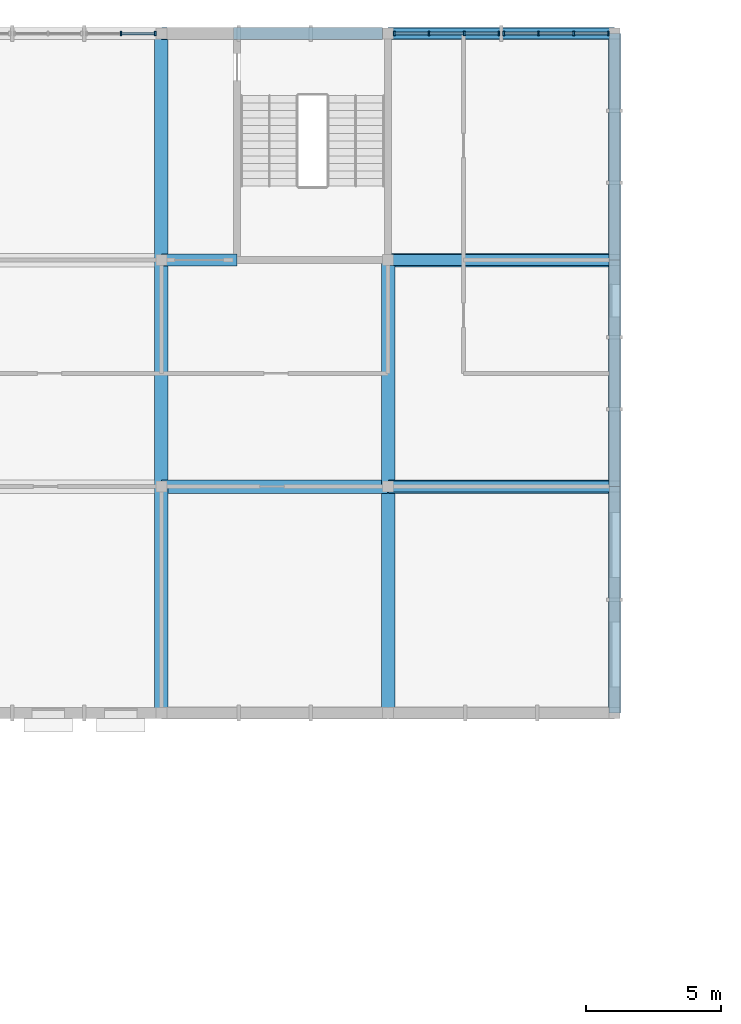
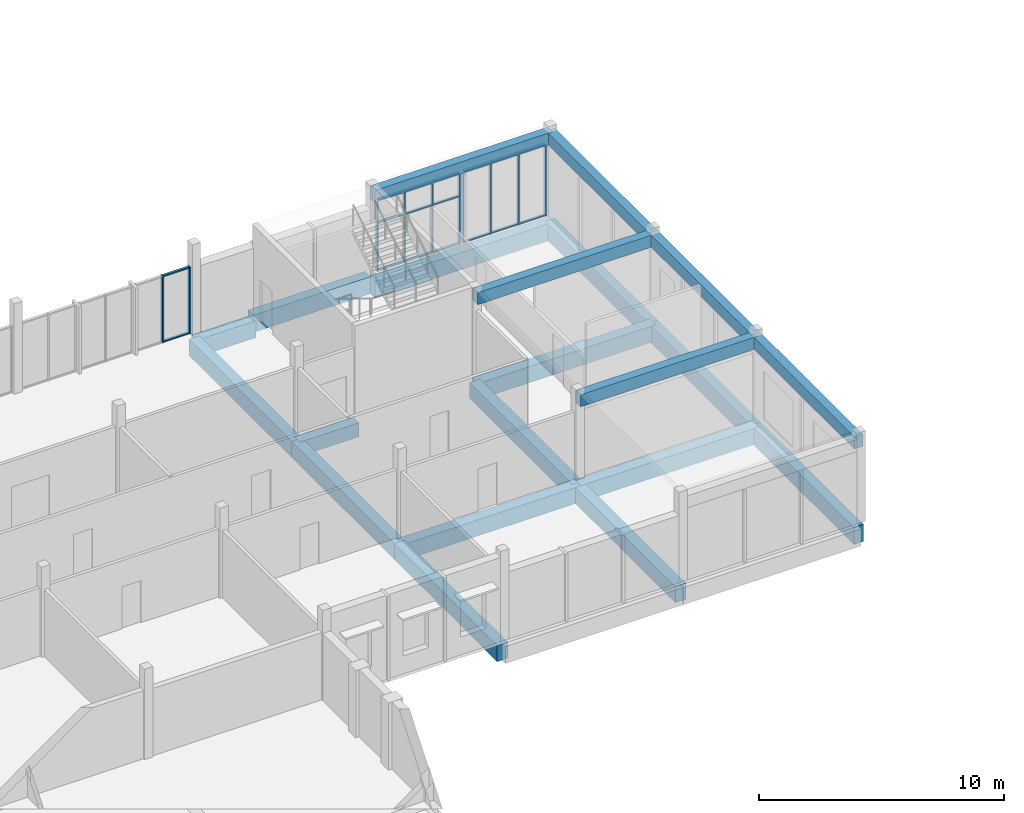
# One storey, part 11 of 22: 27 members, 21 beams, 3 elements without a shape of their own.
"""IFC4 building model written with IfcOpenShell, lengths in metres."""

from ifc_helpers import new_model, si_unit, direction, frame, origin, origin_2d, place, context, subcontext, project, spatial, rectangle, extrude, material, material_profile, profile_set, type_object, element, aggregate, save


model = new_model("IFC4")

# Units and contexts
model_context = context("Model", 3, precision=1e-05, world=origin(), true_north=direction((0.0, 1.0)))
body_context = subcontext(model_context, "Body", "Model", "MODEL_VIEW")
ifc_project = project(units=[si_unit("LENGTHUNIT", "METRE"), si_unit("AREAUNIT", "SQUARE_METRE"), si_unit("VOLUMEUNIT", "CUBIC_METRE"), si_unit("PLANEANGLEUNIT", "RADIAN"), si_unit("MASSUNIT", "GRAM", prefix="KILO")], contexts=[model_context])

# Site, building, storey
site_placement = place(None, origin())
site = spatial("IfcSite", under=ifc_project, at=site_placement, CompositionType="ELEMENT")
building_placement = place(site_placement, origin())
building = spatial("IfcBuilding", under=site, at=building_placement, Name="Fescue Hill Polytechnic", CompositionType="ELEMENT")
storey_placement = place(building_placement, frame((0.0, 0.0, 27.0)))
storey = spatial("IfcBuildingStorey", under=building, at=storey_placement, Name="L06", CompositionType="ELEMENT", Elevation=27.0)

# Beams
ifc_material_1 = material(Name="Concrete 35 MPa", Category="concrete")
ifc_material_profile_1 = material_profile(ifc_material_1, rectangle(XDim=0.39990234375, YDim=0.60009765625, at=origin_2d()), Name="RC 400x600")
ifc_profile_set_1 = profile_set([ifc_material_profile_1], Name="Concrete 35 MPa")
beam_type_1 = type_object("IfcBeamType", Name="Beam RC 400x600", PredefinedType="BEAM", material=ifc_profile_set_1)
for number, where, z_axis, x_axis, name in (
    (1, (42.010009765625, 117.60009765625, 3.89990234375), (1.0, 0.0, 0.0), (0.0, 1.0, 0.0), "BR-L06-0002"),
    (2, (42.010009765625, 126.0, 3.89990234375), (1.0, 0.0, 0.0), (0.0, 1.0, 0.0), "BR-L06-0003"),
    (3, (42.010009765625, 134.39990234375, 3.89990234375), (1.0, 0.0, 0.0), (0.0, 1.0, 0.0), "BR-L06-0004"),
):
    element("IfcBeam", number, at=place(storey_placement, frame(where, z_axis=z_axis, x_axis=x_axis)), inside=storey, type_object=beam_type_1, Name=name, PredefinedType="BEAM", context=body_context, shape_type="SweptSolid", body=[
        extrude(rectangle(XDim=0.39990234375, YDim=0.60009765625, at=origin_2d()), origin(), (0.0, 0.0, 1.0), 8.3798828125),
    ])
beam_1_placement = place(storey_placement, frame((50.39990234375, 109.199951171875, 3.89990234375), z_axis=(0.0, 1.0, 0.0), x_axis=(-1.0, 0.0, 0.0)))
element("IfcBeam", 4, at=beam_1_placement, inside=storey, type_object=beam_type_1, Name="BR-L06-0005", PredefinedType="BEAM", context=body_context, shape_type="SweptSolid", body=[
    extrude(rectangle(XDim=0.39990234375, YDim=0.60009765625, at=origin_2d()), origin(), (0.0, 0.0, 1.0), 8.400146484375),
])
for number, where, z_axis, x_axis, name in (
    (5, (50.39990234375, 117.60009765625, 3.89990234375), (0.0, 1.0, 0.0), (-1.0, 0.0, 0.0), "BR-L06-0006"),
    (6, (50.39990234375, 126.0, 3.89990234375), (0.0, 1.0, 0.0), (-1.0, 0.0, 0.0), "BR-L06-0007"),
):
    element("IfcBeam", number, at=place(storey_placement, frame(where, z_axis=z_axis, x_axis=x_axis)), inside=storey, type_object=beam_type_1, Name=name, PredefinedType="BEAM", context=body_context, shape_type="SweptSolid", body=[
        extrude(rectangle(XDim=0.39990234375, YDim=0.60009765625, at=origin_2d()), origin(), (0.0, 0.0, 1.0), 8.39990234375),
    ])
ifc_material_profile_2 = material_profile(ifc_material_1, rectangle(XDim=0.449951171875, YDim=0.699951171875, at=origin_2d()), Name="RC 450x700")
ifc_profile_set_2 = profile_set([ifc_material_profile_2], Name="Concrete 35 MPa")
beam_type_2 = type_object("IfcBeamType", Name="Beam RC 450x700", PredefinedType="BEAM", material=ifc_profile_set_2)
beam_2_placement = place(storey_placement, frame((33.610107421875, 126.0, -0.64990234375), z_axis=(1.0, 0.0, 0.0), x_axis=(0.0, 1.0, 0.0)))
element("IfcBeam", 7, at=beam_2_placement, inside=storey, type_object=beam_type_2, Name="BM-L06-0066", PredefinedType="BEAM", context=body_context, shape_type="SweptSolid", body=[
    extrude(rectangle(XDim=0.449951171875, YDim=0.699951171875, at=origin_2d()), origin(), (0.0, 0.0, 1.0), 2.789794921875),
])
ifc_material_profile_3 = material_profile(ifc_material_1, rectangle(XDim=0.449951171875, YDim=0.85009765625, at=origin_2d()), Name="RC 450x850")
ifc_profile_set_3 = profile_set([ifc_material_profile_3], Name="Concrete 35 MPa")
beam_type_3 = type_object("IfcBeamType", Name="Beam RC 450x850", PredefinedType="BEAM", material=ifc_profile_set_3)
beam_3_placement = place(storey_placement, frame((33.610107421875, 134.39990234375, -0.72509765625), z_axis=(1.0, 0.0, 0.0), x_axis=(0.0, 1.0, 0.0)))
element("IfcBeam", 8, at=beam_3_placement, inside=storey, type_object=beam_type_3, Name="BM-L06-0067", PredefinedType="BEAM", context=body_context, shape_type="SweptSolid", body=[
    extrude(rectangle(XDim=0.449951171875, YDim=0.85009765625, at=origin_2d()), origin(), (0.0, 0.0, 1.0), 2.789794921875),
])
beam_4_placement = place(storey_placement, frame((42.0, 134.39990234375, -0.72509765625), z_axis=(1.0, 0.0, 0.0), x_axis=(0.0, 1.0, 0.0)))
element("IfcBeam", 9, at=beam_4_placement, inside=storey, type_object=beam_type_3, Name="BM-L06-0070", PredefinedType="BEAM", context=body_context, shape_type="SweptSolid", body=[
    extrude(rectangle(XDim=0.449951171875, YDim=0.85009765625, at=origin_2d()), origin(), (0.0, 0.0, 1.0), 8.389892578125),
])
beam_5_placement = place(storey_placement, frame((50.39990234375, 109.199951171875, -0.72509765625), z_axis=(0.0, 1.0, 0.0), x_axis=(-1.0, 0.0, 0.0)))
element("IfcBeam", 10, at=beam_5_placement, inside=storey, type_object=beam_type_3, Name="BM-L06-0074", PredefinedType="BEAM", context=body_context, shape_type="SweptSolid", body=[
    extrude(rectangle(XDim=0.449951171875, YDim=0.85009765625, at=origin_2d()), origin(), (0.0, 0.0, 1.0), 8.400146484375),
])
for number, where, z_axis, x_axis, name in (
    (11, (50.39990234375, 117.60009765625, -0.72509765625), (0.0, 1.0, 0.0), (-1.0, 0.0, 0.0), "BM-L06-0075"),
    (12, (50.39990234375, 126.0, -0.72509765625), (0.0, 1.0, 0.0), (-1.0, 0.0, 0.0), "BM-L06-0076"),
):
    element("IfcBeam", number, at=place(storey_placement, frame(where, z_axis=z_axis, x_axis=x_axis)), inside=storey, type_object=beam_type_3, Name=name, PredefinedType="BEAM", context=body_context, shape_type="SweptSolid", body=[
        extrude(rectangle(XDim=0.449951171875, YDim=0.85009765625, at=origin_2d()), origin(), (0.0, 0.0, 1.0), 8.39990234375),
    ])
beam_6_placement = place(storey_placement, frame((36.27490234375, 134.39990234375, -0.425048828125), z_axis=(1.0, 0.0, 0.0), x_axis=(0.0, 1.0, 0.0)))
element("IfcBeam", 13, at=beam_6_placement, inside=storey, type_object=beam_type_3, Name="BM-L06-0082", PredefinedType="BEAM", context=body_context, shape_type="SweptSolid", body=[
    extrude(rectangle(XDim=0.449951171875, YDim=0.85009765625, at=origin_2d()), origin(), (0.0, 0.0, 1.0), 5.525146484375),
])
ifc_material_profile_4 = material_profile(ifc_material_1, rectangle(XDim=0.5, YDim=0.800048828125, at=origin_2d()), Name="RC 500x800")
ifc_profile_set_4 = profile_set([ifc_material_profile_4], Name="Concrete 35 MPa")
beam_type_4 = type_object("IfcBeamType", Name="Beam RC 500x800", PredefinedType="BEAM", material=ifc_profile_set_4)
beam_7_placement = place(storey_placement, frame((33.60009765625, 109.199951171875, -0.699951171875), z_axis=(0.0, 1.0, 0.0), x_axis=(-1.0, 0.0, 0.0)))
element("IfcBeam", 14, at=beam_7_placement, inside=storey, type_object=beam_type_4, Name="BM-L06-0061", PredefinedType="BEAM", context=body_context, shape_type="SweptSolid", body=[
    extrude(rectangle(XDim=0.5, YDim=0.800048828125, at=origin_2d()), origin(), (0.0, 0.0, 1.0), 8.400146484375),
])
for number, where, z_axis, x_axis, name in (
    (15, (33.60009765625, 117.60009765625, -0.699951171875), (0.0, 1.0, 0.0), (-1.0, 0.0, 0.0), "BM-L06-0062"),
    (16, (33.60009765625, 126.0, -0.699951171875), (0.0, 1.0, 0.0), (-1.0, 0.0, 0.0), "BM-L06-0063"),
):
    element("IfcBeam", number, at=place(storey_placement, frame(where, z_axis=z_axis, x_axis=x_axis)), inside=storey, type_object=beam_type_4, Name=name, PredefinedType="BEAM", context=body_context, shape_type="SweptSolid", body=[
        extrude(rectangle(XDim=0.5, YDim=0.800048828125, at=origin_2d()), origin(), (0.0, 0.0, 1.0), 8.39990234375),
    ])
beam_8_placement = place(storey_placement, frame((33.610107421875, 117.60009765625, -0.699951171875), z_axis=(1.0, 0.0, 0.0), x_axis=(0.0, 1.0, 0.0)))
element("IfcBeam", 17, at=beam_8_placement, inside=storey, type_object=beam_type_4, Name="BM-L06-0065", PredefinedType="BEAM", context=body_context, shape_type="SweptSolid", body=[
    extrude(rectangle(XDim=0.5, YDim=0.800048828125, at=origin_2d()), origin(), (0.0, 0.0, 1.0), 8.3798828125),
])
beam_9_placement = place(storey_placement, frame((42.0, 109.199951171875, -0.699951171875), z_axis=(0.0, 1.0, 0.0), x_axis=(-1.0, 0.0, 0.0)))
element("IfcBeam", 18, at=beam_9_placement, inside=storey, type_object=beam_type_4, Name="BM-L06-0068", PredefinedType="BEAM", context=body_context, shape_type="SweptSolid", body=[
    extrude(rectangle(XDim=0.5, YDim=0.800048828125, at=origin_2d()), origin(), (0.0, 0.0, 1.0), 8.400146484375),
])
beam_10_placement = place(storey_placement, frame((42.0, 117.60009765625, -0.699951171875), z_axis=(0.0, 1.0, 0.0), x_axis=(-1.0, 0.0, 0.0)))
element("IfcBeam", 19, at=beam_10_placement, inside=storey, type_object=beam_type_4, Name="BM-L06-0069", PredefinedType="BEAM", context=body_context, shape_type="SweptSolid", body=[
    extrude(rectangle(XDim=0.5, YDim=0.800048828125, at=origin_2d()), origin(), (0.0, 0.0, 1.0), 8.39990234375),
])
for number, where, z_axis, x_axis, name in (
    (20, (42.010009765625, 117.60009765625, -0.699951171875), (1.0, 0.0, 0.0), (0.0, 1.0, 0.0), "BM-L06-0072"),
    (21, (42.010009765625, 126.0, -0.699951171875), (1.0, 0.0, 0.0), (0.0, 1.0, 0.0), "BM-L06-0073"),
):
    element("IfcBeam", number, at=place(storey_placement, frame(where, z_axis=z_axis, x_axis=x_axis)), inside=storey, type_object=beam_type_4, Name=name, PredefinedType="BEAM", context=body_context, shape_type="SweptSolid", body=[
        extrude(rectangle(XDim=0.5, YDim=0.800048828125, at=origin_2d()), origin(), (0.0, 0.0, 1.0), 8.3798828125),
    ])

# Curtain wall, members
ifc_material_2 = material(Name="Glass", Category="glass")
curtain_wall_type = type_object("IfcCurtainWallType", Name="Curtain wall structural glazing", PredefinedType="NOTDEFINED", material=ifc_material_2)
curtain_wall_1_placement = place(storey_placement, origin())
curtain_wall_1 = element("IfcCurtainWall", 22, at=curtain_wall_1_placement, inside=storey, type_object=curtain_wall_type, Name="CW-L06-V5-1", PredefinedType="NOTDEFINED")
ifc_material_3 = material(Name="Powder-coated aluminium", Category="aluminium")
ifc_material_profile_5 = material_profile(ifc_material_3, rectangle(XDim=0.159912109375, YDim=0.06005859375, at=origin_2d()), Name="Mullion aluminium 60x160")
ifc_profile_set_5 = profile_set([ifc_material_profile_5], Name="Powder-coated aluminium")
member_type_1 = type_object("IfcMemberType", Name="Mullion aluminium 60x160", PredefinedType="MULLION", material=ifc_profile_set_5)
member_1_placement = place(storey_placement, frame((50.169921875, 134.39990234375, 0.0), z_axis=(0.0, 0.0, 1.0), x_axis=(0.0, -1.0, 0.0)))
member_1 = element("IfcMember", 23, at=member_1_placement, type_object=member_type_1, Name="CW99 mullion 1", PredefinedType="MULLION", context=body_context, shape_type="SweptSolid", body=[
    extrude(rectangle(XDim=0.159912109375, YDim=0.06005859375, at=origin_2d()), origin(), (0.0, 0.0, 1.0), 3.580078125),
])
member_2_placement = place(storey_placement, frame((48.88671875, 134.39990234375, 0.0), z_axis=(0.0, 0.0, 1.0), x_axis=(0.0, -1.0, 0.0)))
member_2 = element("IfcMember", 24, at=member_2_placement, type_object=member_type_1, Name="CW99 mullion 2", PredefinedType="MULLION", context=body_context, shape_type="SweptSolid", body=[
    extrude(rectangle(XDim=0.159912109375, YDim=0.06005859375, at=origin_2d()), origin(), (0.0, 0.0, 1.0), 3.580078125),
])
member_3_placement = place(storey_placement, frame((47.5732421875, 134.39990234375, 0.0), z_axis=(0.0, 0.0, 1.0), x_axis=(0.0, -1.0, 0.0)))
member_3 = element("IfcMember", 25, at=member_3_placement, type_object=member_type_1, Name="CW99 mullion 3", PredefinedType="MULLION", context=body_context, shape_type="SweptSolid", body=[
    extrude(rectangle(XDim=0.159912109375, YDim=0.06005859375, at=origin_2d()), origin(), (0.0, 0.0, 1.0), 3.580078125),
])
member_4_placement = place(storey_placement, frame((46.2900390625, 134.39990234375, 0.0), z_axis=(0.0, 0.0, 1.0), x_axis=(0.0, -1.0, 0.0)))
member_4 = element("IfcMember", 26, at=member_4_placement, type_object=member_type_1, Name="CW99 mullion 4", PredefinedType="MULLION", context=body_context, shape_type="SweptSolid", body=[
    extrude(rectangle(XDim=0.159912109375, YDim=0.06005859375, at=origin_2d()), origin(), (0.0, 0.0, 1.0), 3.580078125),
])

curtain_wall_2_placement = place(storey_placement, origin())
curtain_wall_2 = element("IfcCurtainWall", 27, at=curtain_wall_2_placement, inside=storey, type_object=curtain_wall_type, Name="CW-L06-V5-2", PredefinedType="NOTDEFINED")
member_5_placement = place(storey_placement, frame((33.3701171875, 134.39990234375, 0.0), z_axis=(0.0, 0.0, 1.0), x_axis=(0.0, -1.0, 0.0)))
member_5 = element("IfcMember", 28, at=member_5_placement, type_object=member_type_1, Name="CW100 mullion 1", PredefinedType="MULLION", context=body_context, shape_type="SweptSolid", body=[
    extrude(rectangle(XDim=0.159912109375, YDim=0.06005859375, at=origin_2d()), origin(), (0.0, 0.0, 1.0), 3.330078125),
])
member_6_placement = place(storey_placement, frame((32.0966796875, 134.39990234375, 0.0), z_axis=(0.0, 0.0, 1.0), x_axis=(0.0, -1.0, 0.0)))
member_6 = element("IfcMember", 29, at=member_6_placement, type_object=member_type_1, Name="CW100 mullion 2", PredefinedType="MULLION", context=body_context, shape_type="SweptSolid", body=[
    extrude(rectangle(XDim=0.159912109375, YDim=0.06005859375, at=origin_2d()), origin(), (0.0, 0.0, 1.0), 3.330078125),
])

curtain_wall_3_placement = place(storey_placement, origin())
curtain_wall_3 = element("IfcCurtainWall", 30, at=curtain_wall_3_placement, inside=storey, type_object=curtain_wall_type, Name="CW-L06-V5-X2", PredefinedType="NOTDEFINED")
member_7_placement = place(storey_placement, frame((46.110107421875, 134.39990234375, 0.0), z_axis=(0.0, 0.0, 1.0), x_axis=(0.0, -1.0, 0.0)))
member_7 = element("IfcMember", 31, at=member_7_placement, type_object=member_type_1, Name="CW155 mullion 1", PredefinedType="MULLION", context=body_context, shape_type="SweptSolid", body=[
    extrude(rectangle(XDim=0.159912109375, YDim=0.06005859375, at=origin_2d()), origin(), (0.0, 0.0, 1.0), 3.580078125),
])
member_8_placement = place(storey_placement, frame((44.82666015625, 134.39990234375, 0.0), z_axis=(0.0, 0.0, 1.0), x_axis=(0.0, -1.0, 0.0)))
member_8 = element("IfcMember", 32, at=member_8_placement, type_object=member_type_1, Name="CW155 mullion 2", PredefinedType="MULLION", context=body_context, shape_type="SweptSolid", body=[
    extrude(rectangle(XDim=0.159912109375, YDim=0.06005859375, at=origin_2d()), origin(), (0.0, 0.0, 1.0), 3.580078125),
])
member_9_placement = place(storey_placement, frame((43.513427734375, 134.39990234375, 0.0), z_axis=(0.0, 0.0, 1.0), x_axis=(0.0, -1.0, 0.0)))
member_9 = element("IfcMember", 33, at=member_9_placement, type_object=member_type_1, Name="CW155 mullion 3", PredefinedType="MULLION", context=body_context, shape_type="SweptSolid", body=[
    extrude(rectangle(XDim=0.159912109375, YDim=0.06005859375, at=origin_2d()), origin(), (0.0, 0.0, 1.0), 3.580078125),
])
member_10_placement = place(storey_placement, frame((42.22998046875, 134.39990234375, 0.0), z_axis=(0.0, 0.0, 1.0), x_axis=(0.0, -1.0, 0.0)))
member_10 = element("IfcMember", 34, at=member_10_placement, type_object=member_type_1, Name="CW155 mullion 4", PredefinedType="MULLION", context=body_context, shape_type="SweptSolid", body=[
    extrude(rectangle(XDim=0.159912109375, YDim=0.06005859375, at=origin_2d()), origin(), (0.0, 0.0, 1.0), 3.580078125),
])

# Member
ifc_material_profile_6 = material_profile(ifc_material_3, rectangle(XDim=0.1201171875, YDim=0.06005859375, at=origin_2d()), Name="Transom aluminium 60x120")
ifc_profile_set_6 = profile_set([ifc_material_profile_6], Name="Powder-coated aluminium")
member_type_2 = type_object("IfcMemberType", Name="Transom aluminium 60x120", PredefinedType="USERDEFINED", material=ifc_profile_set_6)
member_11_placement = place(storey_placement, frame((50.139892578125, 134.39990234375, 0.030029296875), z_axis=(-1.0, 0.0, 0.0), x_axis=(0.0, -1.0, 0.0)))
member_11 = element("IfcMember", 35, at=member_11_placement, type_object=member_type_2, Name="CW99 transom 1.1", ObjectType="TRANSOM", PredefinedType="USERDEFINED", context=body_context, shape_type="SweptSolid", body=[
    extrude(rectangle(XDim=0.1201171875, YDim=0.06005859375, at=origin_2d()), origin(), (0.0, 0.0, 1.0), 1.22314453125),
])

member_12_placement = place(storey_placement, frame((50.139892578125, 134.39990234375, 3.550048828125), z_axis=(-1.0, 0.0, 0.0), x_axis=(0.0, -1.0, 0.0)))
member_12 = element("IfcMember", 36, at=member_12_placement, type_object=member_type_2, Name="CW99 transom 1.2", ObjectType="TRANSOM", PredefinedType="USERDEFINED", context=body_context, shape_type="SweptSolid", body=[
    extrude(rectangle(XDim=0.1201171875, YDim=0.06005859375, at=origin_2d()), origin(), (0.0, 0.0, 1.0), 1.22314453125),
])

member_13_placement = place(storey_placement, frame((48.856689453125, 134.39990234375, 0.030029296875), z_axis=(-1.0, 0.0, 0.0), x_axis=(0.0, -1.0, 0.0)))
member_13 = element("IfcMember", 37, at=member_13_placement, type_object=member_type_2, Name="CW99 transom 2.1", ObjectType="TRANSOM", PredefinedType="USERDEFINED", context=body_context, shape_type="SweptSolid", body=[
    extrude(rectangle(XDim=0.1201171875, YDim=0.06005859375, at=origin_2d()), origin(), (0.0, 0.0, 1.0), 1.25341796875),
])

member_14_placement = place(storey_placement, frame((48.856689453125, 134.39990234375, 3.550048828125), z_axis=(-1.0, 0.0, 0.0), x_axis=(0.0, -1.0, 0.0)))
member_14 = element("IfcMember", 38, at=member_14_placement, type_object=member_type_2, Name="CW99 transom 2.2", ObjectType="TRANSOM", PredefinedType="USERDEFINED", context=body_context, shape_type="SweptSolid", body=[
    extrude(rectangle(XDim=0.1201171875, YDim=0.06005859375, at=origin_2d()), origin(), (0.0, 0.0, 1.0), 1.25341796875),
])

member_15_placement = place(storey_placement, frame((47.543212890625, 134.39990234375, 0.030029296875), z_axis=(-1.0, 0.0, 0.0), x_axis=(0.0, -1.0, 0.0)))
member_15 = element("IfcMember", 39, at=member_15_placement, type_object=member_type_2, Name="CW99 transom 3.1", ObjectType="TRANSOM", PredefinedType="USERDEFINED", context=body_context, shape_type="SweptSolid", body=[
    extrude(rectangle(XDim=0.1201171875, YDim=0.06005859375, at=origin_2d()), origin(), (0.0, 0.0, 1.0), 1.22314453125),
])

member_16_placement = place(storey_placement, frame((47.543212890625, 134.39990234375, 3.550048828125), z_axis=(-1.0, 0.0, 0.0), x_axis=(0.0, -1.0, 0.0)))
member_16 = element("IfcMember", 40, at=member_16_placement, type_object=member_type_2, Name="CW99 transom 3.2", ObjectType="TRANSOM", PredefinedType="USERDEFINED", context=body_context, shape_type="SweptSolid", body=[
    extrude(rectangle(XDim=0.1201171875, YDim=0.06005859375, at=origin_2d()), origin(), (0.0, 0.0, 1.0), 1.22314453125),
])

aggregate(curtain_wall_1, [member_1, member_2, member_3, member_4, member_11, member_12, member_13, member_14, member_15, member_16])

member_17_placement = place(storey_placement, frame((33.340087890625, 134.39990234375, 0.030029296875), z_axis=(-1.0, 0.0, 0.0), x_axis=(0.0, -1.0, 0.0)))
member_17 = element("IfcMember", 41, at=member_17_placement, type_object=member_type_2, Name="CW100 transom 1.1", ObjectType="TRANSOM", PredefinedType="USERDEFINED", context=body_context, shape_type="SweptSolid", body=[
    extrude(rectangle(XDim=0.1201171875, YDim=0.06005859375, at=origin_2d()), origin(), (0.0, 0.0, 1.0), 1.21337890625),
])

member_18_placement = place(storey_placement, frame((33.340087890625, 134.39990234375, 3.300048828125), z_axis=(-1.0, 0.0, 0.0), x_axis=(0.0, -1.0, 0.0)))
member_18 = element("IfcMember", 42, at=member_18_placement, type_object=member_type_2, Name="CW100 transom 1.2", ObjectType="TRANSOM", PredefinedType="USERDEFINED", context=body_context, shape_type="SweptSolid", body=[
    extrude(rectangle(XDim=0.1201171875, YDim=0.06005859375, at=origin_2d()), origin(), (0.0, 0.0, 1.0), 1.21337890625),
])

aggregate(curtain_wall_2, [member_5, member_6, member_17, member_18])

member_19_placement = place(storey_placement, frame((46.080078125, 134.39990234375, 0.030029296875), z_axis=(-1.0, 0.0, 0.0), x_axis=(0.0, -1.0, 0.0)))
member_19 = element("IfcMember", 43, at=member_19_placement, type_object=member_type_2, Name="CW155 transom 1.1", ObjectType="TRANSOM", PredefinedType="USERDEFINED", context=body_context, shape_type="SweptSolid", body=[
    extrude(rectangle(XDim=0.1201171875, YDim=0.06005859375, at=origin_2d()), origin(), (0.0, 0.0, 1.0), 1.223388671875),
])

member_20_placement = place(storey_placement, frame((46.080078125, 134.39990234375, 2.39990234375), z_axis=(-1.0, 0.0, 0.0), x_axis=(0.0, -1.0, 0.0)))
member_20 = element("IfcMember", 44, at=member_20_placement, type_object=member_type_2, Name="CW155 transom 1.2", ObjectType="TRANSOM", PredefinedType="USERDEFINED", context=body_context, shape_type="SweptSolid", body=[
    extrude(rectangle(XDim=0.1201171875, YDim=0.06005859375, at=origin_2d()), origin(), (0.0, 0.0, 1.0), 1.223388671875),
])

member_21_placement = place(storey_placement, frame((46.080078125, 134.39990234375, 3.550048828125), z_axis=(-1.0, 0.0, 0.0), x_axis=(0.0, -1.0, 0.0)))
member_21 = element("IfcMember", 45, at=member_21_placement, type_object=member_type_2, Name="CW155 transom 1.3", ObjectType="TRANSOM", PredefinedType="USERDEFINED", context=body_context, shape_type="SweptSolid", body=[
    extrude(rectangle(XDim=0.1201171875, YDim=0.06005859375, at=origin_2d()), origin(), (0.0, 0.0, 1.0), 1.223388671875),
])

member_22_placement = place(storey_placement, frame((44.796630859375, 134.39990234375, 0.030029296875), z_axis=(-1.0, 0.0, 0.0), x_axis=(0.0, -1.0, 0.0)))
member_22 = element("IfcMember", 46, at=member_22_placement, type_object=member_type_2, Name="CW155 transom 2.1", ObjectType="TRANSOM", PredefinedType="USERDEFINED", context=body_context, shape_type="SweptSolid", body=[
    extrude(rectangle(XDim=0.1201171875, YDim=0.06005859375, at=origin_2d()), origin(), (0.0, 0.0, 1.0), 1.25341796875),
])

member_23_placement = place(storey_placement, frame((44.796630859375, 134.39990234375, 2.39990234375), z_axis=(-1.0, 0.0, 0.0), x_axis=(0.0, -1.0, 0.0)))
member_23 = element("IfcMember", 47, at=member_23_placement, type_object=member_type_2, Name="CW155 transom 2.2", ObjectType="TRANSOM", PredefinedType="USERDEFINED", context=body_context, shape_type="SweptSolid", body=[
    extrude(rectangle(XDim=0.1201171875, YDim=0.06005859375, at=origin_2d()), origin(), (0.0, 0.0, 1.0), 1.25341796875),
])

member_24_placement = place(storey_placement, frame((44.796630859375, 134.39990234375, 3.550048828125), z_axis=(-1.0, 0.0, 0.0), x_axis=(0.0, -1.0, 0.0)))
member_24 = element("IfcMember", 48, at=member_24_placement, type_object=member_type_2, Name="CW155 transom 2.3", ObjectType="TRANSOM", PredefinedType="USERDEFINED", context=body_context, shape_type="SweptSolid", body=[
    extrude(rectangle(XDim=0.1201171875, YDim=0.06005859375, at=origin_2d()), origin(), (0.0, 0.0, 1.0), 1.25341796875),
])

member_25_placement = place(storey_placement, frame((43.4833984375, 134.39990234375, 0.030029296875), z_axis=(-1.0, 0.0, 0.0), x_axis=(0.0, -1.0, 0.0)))
member_25 = element("IfcMember", 49, at=member_25_placement, type_object=member_type_2, Name="CW155 transom 3.1", ObjectType="TRANSOM", PredefinedType="USERDEFINED", context=body_context, shape_type="SweptSolid", body=[
    extrude(rectangle(XDim=0.1201171875, YDim=0.06005859375, at=origin_2d()), origin(), (0.0, 0.0, 1.0), 1.223388671875),
])

member_26_placement = place(storey_placement, frame((43.4833984375, 134.39990234375, 2.39990234375), z_axis=(-1.0, 0.0, 0.0), x_axis=(0.0, -1.0, 0.0)))
member_26 = element("IfcMember", 50, at=member_26_placement, type_object=member_type_2, Name="CW155 transom 3.2", ObjectType="TRANSOM", PredefinedType="USERDEFINED", context=body_context, shape_type="SweptSolid", body=[
    extrude(rectangle(XDim=0.1201171875, YDim=0.06005859375, at=origin_2d()), origin(), (0.0, 0.0, 1.0), 1.223388671875),
])

member_27_placement = place(storey_placement, frame((43.4833984375, 134.39990234375, 3.550048828125), z_axis=(-1.0, 0.0, 0.0), x_axis=(0.0, -1.0, 0.0)))
member_27 = element("IfcMember", 51, at=member_27_placement, type_object=member_type_2, Name="CW155 transom 3.3", ObjectType="TRANSOM", PredefinedType="USERDEFINED", context=body_context, shape_type="SweptSolid", body=[
    extrude(rectangle(XDim=0.1201171875, YDim=0.06005859375, at=origin_2d()), origin(), (0.0, 0.0, 1.0), 1.223388671875),
])

aggregate(curtain_wall_3, [member_7, member_8, member_9, member_10, member_19, member_20, member_21, member_22, member_23, member_24, member_25, member_26, member_27])

save(model, "model.ifc")
